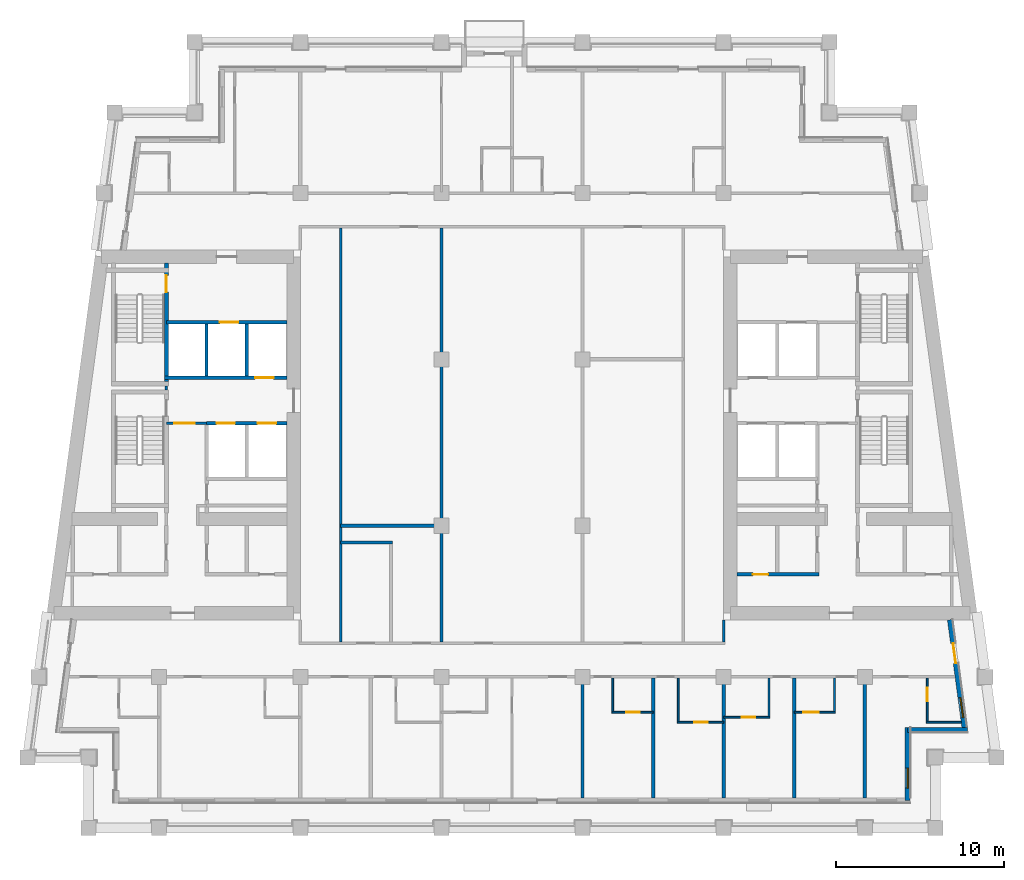
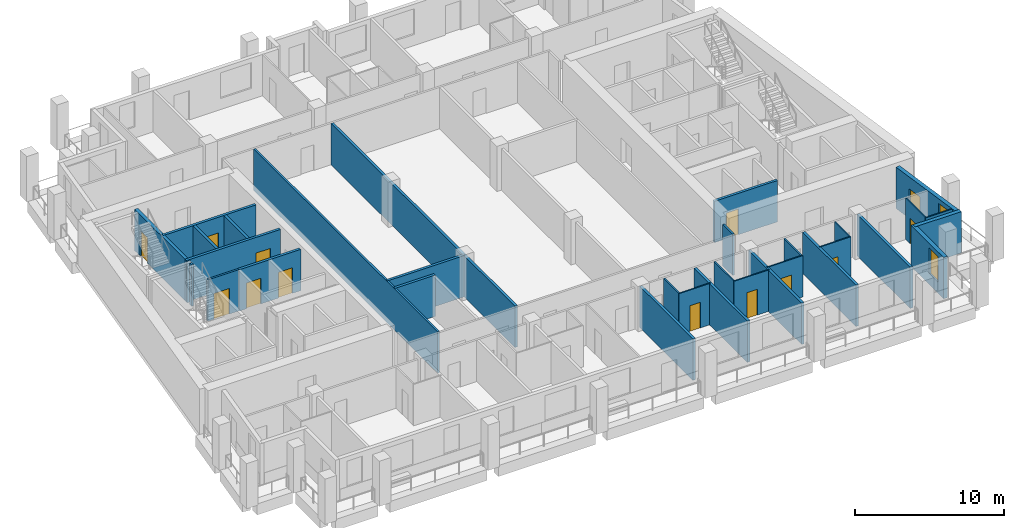
# One storey, part 4 of 12: 32 walls, 13 doors, 2 windows, 15 openings.
"""IFC4 building model written with IfcOpenShell, lengths in metres."""

from ifc_helpers import new_model, si_unit, direction, frame, frame_2d, origin, place, context, subcontext, project, spatial, rectangle, extrude, material, layer, layer_set, type_object, element, fill, save


model = new_model("IFC4")

# Units and contexts
model_context = context("Model", 3, precision=1e-05, world=origin(), true_north=direction((0.0, 1.0)))
body_context = subcontext(model_context, "Body", "Model", "MODEL_VIEW")
ifc_project = project(units=[si_unit("LENGTHUNIT", "METRE"), si_unit("AREAUNIT", "SQUARE_METRE"), si_unit("VOLUMEUNIT", "CUBIC_METRE"), si_unit("PLANEANGLEUNIT", "RADIAN"), si_unit("MASSUNIT", "GRAM", prefix="KILO")], contexts=[model_context])

# Site, building, storey
site_placement = place(None, origin())
site = spatial("IfcSite", under=ifc_project, at=site_placement, CompositionType="ELEMENT")
building_placement = place(site_placement, origin())
building = spatial("IfcBuilding", under=site, at=building_placement, Name="Candeia Pilgrim Tower and Theatre", CompositionType="ELEMENT")
storey_placement = place(building_placement, frame((0.0, 0.0, 224.39990234375)))
storey = spatial("IfcBuildingStorey", under=building, at=storey_placement, Name="L54", CompositionType="ELEMENT", Elevation=224.39990234375)

# Wall, opening, window
ifc_material_1 = material(Name="Ceramic block masonry", Category="masonry")
ifc_layer_1 = layer(ifc_material_1, 0.300048828125)
ifc_layer_set_1 = layer_set([ifc_layer_1], Name="EW1 glazing-line wall 300")
wall_type_1 = type_object("IfcWallType", Name="EW1 glazing-line wall 300", PredefinedType="SOLIDWALL", material=ifc_layer_set_1)
wall_1_placement = place(storey_placement, frame((136.949951171875, 99.64990234375, 0.0), z_axis=(0.0, 0.0, 1.0), x_axis=(0.0, 1.0, 0.0)))
wall_1 = element("IfcWall", 1, at=wall_1_placement, inside=storey, type_object=wall_type_1, Name="External wall L54-1.0", PredefinedType="SOLIDWALL", context=body_context, shape_type="SweptSolid", body=[
    extrude(rectangle(XDim=4.35009765625, YDim=0.300048828125, at=frame_2d((2.175048828125, 0.0))), origin(), (0.0, 0.0, 1.0), 3.380126953125),
])
opening_1_placement = place(wall_1_placement, frame((0.72509765625, 0.0, 0.89990234375)))
opening_1 = element("IfcOpeningElement", 2, at=opening_1_placement, cuts=wall_1, Name="Opening W-B", PredefinedType="OPENING", context=body_context, shape_type="SweptSolid", body=[
    extrude(rectangle(XDim=1.199951171875, YDim=2.10009765625, at=frame_2d((0.60009765625, 1.050048828125))), frame((0.0, 0.16015625, 0.0), z_axis=(0.0, -1.0, 0.0), x_axis=(1.0, 0.0, 0.0)), (0.0, 0.0, 1.0), 0.320068359375),
])
ifc_material_2 = material(Name="Aluminium framed double glazing", Category="aluminium")
window_type = type_object("IfcWindowType", Name="W-B window 1200x2100", PartitioningType="SINGLE_PANEL", PredefinedType="WINDOW", material=ifc_material_2)
window_1_placement = place(opening_1_placement, origin())
window_1 = element("IfcWindow", 3, at=window_1_placement, inside=storey, type_object=window_type, Name="Window W-B L54", OverallHeight=2.10009765625, OverallWidth=1.199951171875, PartitioningType="SINGLE_PANEL", PredefinedType="WINDOW", context=body_context, shape_type="SweptSolid", body=[
    extrude(rectangle(XDim=1.199951171875, YDim=2.10009765625, at=frame_2d((0.60009765625, 1.050048828125))), frame((0.0, 0.030029296875, 0.0), z_axis=(0.0, -1.0, 0.0), x_axis=(1.0, 0.0, 0.0)), (0.0, 0.0, 1.0), 0.06005859375),
])
fill(opening_1, window_1)

# Wall
wall_2_placement = place(storey_placement, frame((136.949951171875, 103.85009765625, 0.0), z_axis=(0.0, 0.0, 1.0), x_axis=(1.0, 0.0, 0.0)))
element("IfcWall", 4, at=wall_2_placement, inside=storey, type_object=wall_type_1, Name="External wall L54-2.0", PredefinedType="SOLIDWALL", context=body_context, shape_type="SweptSolid", body=[
    extrude(rectangle(XDim=3.569091796875, YDim=0.300048828125, at=frame_2d((1.78466796875, 0.0))), origin(), (0.0, 0.0, 1.0), 3.380126953125),
])

# Wall, openings, door, window
wall_3_placement = place(storey_placement, frame((140.34765625, 103.85009765625, 0.0), z_axis=(0.0, 0.0, 1.0), x_axis=(-0.133431549479, 0.991058031401, 0.0)))
wall_3 = element("IfcWall", 5, at=wall_3_placement, inside=storey, type_object=wall_type_1, Name="External wall L54-3.0", PredefinedType="SOLIDWALL", context=body_context, shape_type="SweptSolid", body=[
    extrude(rectangle(XDim=6.60888671875, YDim=0.300048828125, at=frame_2d((3.304443359375, 0.0))), origin(), (0.0, 0.0, 1.0), 3.380126953125),
])
opening_2_placement = place(wall_3_placement, frame((0.736572265625, 0.0, 0.89990234375)))
opening_2 = element("IfcOpeningElement", 6, at=opening_2_placement, cuts=wall_3, Name="Opening W-B", PredefinedType="OPENING", context=body_context, shape_type="SweptSolid", body=[
    extrude(rectangle(XDim=1.199951171875, YDim=2.10009765625, at=frame_2d((0.60009765625, 1.050048828125))), frame((0.0, 0.16015625, 0.0), z_axis=(0.0, -1.0, 0.0), x_axis=(1.0, 0.0, 0.0)), (0.0, 0.0, 1.0), 0.320068359375),
])
opening_3_placement = place(wall_3_placement, frame((3.990966796875, 0.0, 0.0)))
opening_3 = element("IfcOpeningElement", 7, at=opening_3_placement, cuts=wall_3, Name="Opening L54-ED516", PredefinedType="OPENING", context=body_context, shape_type="SweptSolid", body=[
    extrude(rectangle(XDim=1.199951171875, YDim=2.39990234375, at=frame_2d((0.60009765625, 1.199951171875))), frame((0.0, 0.16015625, 0.0), z_axis=(0.0, -1.0, 0.0), x_axis=(1.0, 0.0, 0.0)), (0.0, 0.0, 1.0), 0.320068359375),
])
ifc_material_3 = material(Name="Aluminium framed glazed door", Category="aluminium")
door_type_1 = type_object("IfcDoorType", Name="Loggia door 1200x2400", OperationType="DOUBLE_DOOR_SINGLE_SWING", PredefinedType="DOOR", material=ifc_material_3)
door_1_placement = place(opening_3_placement, origin())
door_1 = element("IfcDoor", 8, at=door_1_placement, inside=storey, type_object=door_type_1, Name="Loggia door L54-ED516", OperationType="DOUBLE_DOOR_SINGLE_SWING", OverallHeight=2.39990234375, OverallWidth=1.199951171875, PredefinedType="DOOR", context=body_context, shape_type="SweptSolid", body=[
    extrude(rectangle(XDim=1.199951171875, YDim=2.39990234375, at=frame_2d((0.60009765625, 1.199951171875))), frame((0.0, 0.02490234375, 0.0), z_axis=(0.0, -1.0, 0.0), x_axis=(1.0, 0.0, 0.0)), (0.0, 0.0, 1.0), 0.050048828125),
])
fill(opening_3, door_1)
window_2_placement = place(opening_2_placement, origin())
window_2 = element("IfcWindow", 9, at=window_2_placement, inside=storey, type_object=window_type, Name="Window W-B L54", OverallHeight=2.10009765625, OverallWidth=1.199951171875, PartitioningType="SINGLE_PANEL", PredefinedType="WINDOW", context=body_context, shape_type="SweptSolid", body=[
    extrude(rectangle(XDim=1.199951171875, YDim=2.10009765625, at=frame_2d((0.60009765625, 1.050048828125))), frame((0.0, 0.030029296875, 0.0), z_axis=(0.0, -1.0, 0.0), x_axis=(1.0, 0.0, 0.0)), (0.0, 0.0, 1.0), 0.06005859375),
])
fill(opening_2, window_2)

# Wall, opening, door
ifc_material_4 = material(Name="Gypsum board partition on steel studs", Category="steel")
ifc_layer_2 = layer(ifc_material_4, 0.10009765625)
ifc_layer_set_2 = layer_set([ifc_layer_2], Name="PW-100 room partition")
wall_type_2 = type_object("IfcWallType", Name="PW-100 room partition", PredefinedType="PARTITIONING", material=ifc_layer_set_2)
wall_4_placement = place(storey_placement, frame((123.25, 104.300048828125, 0.0), z_axis=(0.0, 0.0, 1.0), x_axis=(1.0, 0.0, 0.0)))
wall_4 = element("IfcWall", 10, at=wall_4_placement, inside=storey, type_object=wall_type_2, Name="Room partition L54-002", PredefinedType="PARTITIONING", context=body_context, shape_type="SweptSolid", body=[
    extrude(rectangle(XDim=2.75, YDim=0.10009765625, at=frame_2d((1.375, 0.0))), origin(), (0.0, 0.0, 1.0), 3.380126953125),
])
opening_4_placement = place(wall_4_placement, frame((1.0, 0.0, 0.0)))
opening_4 = element("IfcOpeningElement", 11, at=opening_4_placement, cuts=wall_4, Name="Opening L54-D030", PredefinedType="OPENING", context=body_context, shape_type="SweptSolid", body=[
    extrude(rectangle(XDim=0.800048828125, YDim=2.10009765625, at=frame_2d((0.39990234375, 1.050048828125))), frame((0.0, 0.06005859375, 0.0), z_axis=(0.0, -1.0, 0.0), x_axis=(1.0, 0.0, 0.0)), (0.0, 0.0, 1.0), 0.1201171875),
])
ifc_material_5 = material(Name="Timber door leaf", Category="wood")
door_type_2 = type_object("IfcDoorType", Name="D-800", OperationType="NOTDEFINED", PredefinedType="DOOR", material=ifc_material_5)
door_2_placement = place(opening_4_placement, origin())
door_2 = element("IfcDoor", 12, at=door_2_placement, inside=storey, type_object=door_type_2, Name="Door L54-D030", OperationType="SINGLE_SWING_RIGHT", OverallHeight=2.10009765625, OverallWidth=0.800048828125, PredefinedType="DOOR", context=body_context, shape_type="SweptSolid", body=[
    extrude(rectangle(XDim=0.800048828125, YDim=2.10009765625, at=frame_2d((0.39990234375, 1.050048828125))), frame((0.0, 0.02490234375, 0.0), z_axis=(0.0, -1.0, 0.0), x_axis=(1.0, 0.0, 0.0)), (0.0, 0.0, 1.0), 0.050048828125),
])
fill(opening_4, door_2)

# Wall
wall_5_placement = place(storey_placement, frame((138.070068359375, 104.300048828125, 0.0), z_axis=(0.0, 0.0, 1.0), x_axis=(1.0, 0.0, 0.0)))
element("IfcWall", 13, at=wall_5_placement, inside=storey, type_object=wall_type_2, Name="Room partition L54-003", PredefinedType="PARTITIONING", context=body_context, shape_type="SweptSolid", body=[
    extrude(rectangle(XDim=2.07568359375, YDim=0.10009765625, at=frame_2d((1.037841796875, 0.0))), origin(), (0.0, 0.0, 1.0), 3.380126953125),
])

# Wall, opening, door
wall_6_placement = place(storey_placement, frame((126.0, 104.60009765625, 0.0), z_axis=(0.0, 0.0, 1.0), x_axis=(1.0, 0.0, 0.0)))
wall_6 = element("IfcWall", 14, at=wall_6_placement, inside=storey, type_object=wall_type_2, Name="Room partition L54-006", PredefinedType="PARTITIONING", context=body_context, shape_type="SweptSolid", body=[
    extrude(rectangle(XDim=2.75, YDim=0.10009765625, at=frame_2d((1.375, 0.0))), origin(), (0.0, 0.0, 1.0), 3.380126953125),
])
opening_5_placement = place(wall_6_placement, frame((1.070068359375, 0.0, 0.0)))
opening_5 = element("IfcOpeningElement", 15, at=opening_5_placement, cuts=wall_6, Name="Opening L54-D032", PredefinedType="OPENING", context=body_context, shape_type="SweptSolid", body=[
    extrude(rectangle(XDim=0.800048828125, YDim=2.10009765625, at=frame_2d((0.39990234375, 1.050048828125))), frame((0.0, 0.06005859375, 0.0), z_axis=(0.0, -1.0, 0.0), x_axis=(1.0, 0.0, 0.0)), (0.0, 0.0, 1.0), 0.1201171875),
])
door_3_placement = place(opening_5_placement, origin())
door_3 = element("IfcDoor", 16, at=door_3_placement, inside=storey, type_object=door_type_2, Name="Door L54-D032", OperationType="SINGLE_SWING_RIGHT", OverallHeight=2.10009765625, OverallWidth=0.800048828125, PredefinedType="DOOR", context=body_context, shape_type="SweptSolid", body=[
    extrude(rectangle(XDim=0.800048828125, YDim=2.10009765625, at=frame_2d((0.39990234375, 1.050048828125))), frame((0.0, 0.02490234375, 0.0), z_axis=(0.0, -1.0, 0.0), x_axis=(1.0, 0.0, 0.0)), (0.0, 0.0, 1.0), 0.050048828125),
])
fill(opening_5, door_3)

wall_7_placement = place(storey_placement, frame((119.35009765625, 104.89990234375, 0.0), z_axis=(0.0, 0.0, 1.0), x_axis=(1.0, 0.0, 0.0)))
wall_7 = element("IfcWall", 17, at=wall_7_placement, inside=storey, type_object=wall_type_2, Name="Room partition L54-008", PredefinedType="PARTITIONING", context=body_context, shape_type="SweptSolid", body=[
    extrude(rectangle(XDim=2.449951171875, YDim=0.10009765625, at=frame_2d((1.22509765625, 0.0))), origin(), (0.0, 0.0, 1.0), 3.380126953125),
])
opening_6_placement = place(wall_7_placement, frame((0.85009765625, 0.0, 0.0)))
opening_6 = element("IfcOpeningElement", 18, at=opening_6_placement, cuts=wall_7, Name="Opening L54-D028", PredefinedType="OPENING", context=body_context, shape_type="SweptSolid", body=[
    extrude(rectangle(XDim=0.800048828125, YDim=2.10009765625, at=frame_2d((0.39990234375, 1.050048828125))), frame((0.0, 0.06005859375, 0.0), z_axis=(0.0, -1.0, 0.0), x_axis=(1.0, 0.0, 0.0)), (0.0, 0.0, 1.0), 0.1201171875),
])
door_4_placement = place(opening_6_placement, origin())
door_4 = element("IfcDoor", 19, at=door_4_placement, inside=storey, type_object=door_type_2, Name="Door L54-D028", OperationType="SINGLE_SWING_RIGHT", OverallHeight=2.10009765625, OverallWidth=0.800048828125, PredefinedType="DOOR", context=body_context, shape_type="SweptSolid", body=[
    extrude(rectangle(XDim=0.800048828125, YDim=2.10009765625, at=frame_2d((0.39990234375, 1.050048828125))), frame((0.0, 0.02490234375, 0.0), z_axis=(0.0, -1.0, 0.0), x_axis=(1.0, 0.0, 0.0)), (0.0, 0.0, 1.0), 0.050048828125),
])
fill(opening_6, door_4)

wall_8_placement = place(storey_placement, frame((130.199951171875, 104.89990234375, 0.0), z_axis=(0.0, 0.0, 1.0), x_axis=(1.0, 0.0, 0.0)))
wall_8 = element("IfcWall", 20, at=wall_8_placement, inside=storey, type_object=wall_type_2, Name="Room partition L54-009", PredefinedType="PARTITIONING", context=body_context, shape_type="SweptSolid", body=[
    extrude(rectangle(XDim=2.449951171875, YDim=0.10009765625, at=frame_2d((1.22509765625, 0.0))), origin(), (0.0, 0.0, 1.0), 3.380126953125),
])
opening_7_placement = place(wall_8_placement, frame((0.550048828125, 0.0, 0.0)))
opening_7 = element("IfcOpeningElement", 21, at=opening_7_placement, cuts=wall_8, Name="Opening L54-D034", PredefinedType="OPENING", context=body_context, shape_type="SweptSolid", body=[
    extrude(rectangle(XDim=0.89990234375, YDim=2.10009765625, at=frame_2d((0.449951171875, 1.050048828125))), frame((0.0, 0.06005859375, 0.0), z_axis=(0.0, -1.0, 0.0), x_axis=(1.0, 0.0, 0.0)), (0.0, 0.0, 1.0), 0.1201171875),
])
door_type_3 = type_object("IfcDoorType", Name="D-900", OperationType="NOTDEFINED", PredefinedType="DOOR", material=ifc_material_5)
door_5_placement = place(opening_7_placement, origin())
door_5 = element("IfcDoor", 22, at=door_5_placement, inside=storey, type_object=door_type_3, Name="Door L54-D034", OperationType="SINGLE_SWING_RIGHT", OverallHeight=2.10009765625, OverallWidth=0.89990234375, PredefinedType="DOOR", context=body_context, shape_type="SweptSolid", body=[
    extrude(rectangle(XDim=0.89990234375, YDim=2.10009765625, at=frame_2d((0.449951171875, 1.050048828125))), frame((0.0, 0.02490234375, 0.0), z_axis=(0.0, -1.0, 0.0), x_axis=(1.0, 0.0, 0.0)), (0.0, 0.0, 1.0), 0.050048828125),
])
fill(opening_7, door_5)

# Walls
wall_9_placement = place(storey_placement, frame((119.39990234375, 104.949951171875, 0.0), z_axis=(0.0, 0.0, 1.0), x_axis=(0.0, 1.0, 0.0)))
element("IfcWall", 23, at=wall_9_placement, inside=storey, type_object=wall_type_2, Name="Room partition L54-090", PredefinedType="PARTITIONING", context=body_context, shape_type="SweptSolid", body=[
    extrude(rectangle(XDim=1.97509765625, YDim=0.10009765625, at=frame_2d((0.987548828125, 0.0))), origin(), (0.0, 0.0, 1.0), 3.380126953125),
])
wall_10_placement = place(storey_placement, frame((123.300048828125, 104.35009765625, 0.0), z_axis=(0.0, 0.0, 1.0), x_axis=(0.0, 1.0, 0.0)))
element("IfcWall", 24, at=wall_10_placement, inside=storey, type_object=wall_type_2, Name="Room partition L54-092", PredefinedType="PARTITIONING", context=body_context, shape_type="SweptSolid", body=[
    extrude(rectangle(XDim=2.574951171875, YDim=0.10009765625, at=frame_2d((1.28759765625, 0.0))), origin(), (0.0, 0.0, 1.0), 3.380126953125),
])
wall_11_placement = place(storey_placement, frame((128.699951171875, 104.64990234375, 0.0), z_axis=(0.0, 0.0, 1.0), x_axis=(0.0, 1.0, 0.0)))
element("IfcWall", 25, at=wall_11_placement, inside=storey, type_object=wall_type_2, Name="Room partition L54-099", PredefinedType="PARTITIONING", context=body_context, shape_type="SweptSolid", body=[
    extrude(rectangle(XDim=2.275146484375, YDim=0.10009765625, at=frame_2d((1.1376953125, 0.0))), origin(), (0.0, 0.0, 1.0), 3.380126953125),
])
wall_12_placement = place(storey_placement, frame((132.60009765625, 104.949951171875, 0.0), z_axis=(0.0, 0.0, 1.0), x_axis=(0.0, 1.0, 0.0)))
element("IfcWall", 26, at=wall_12_placement, inside=storey, type_object=wall_type_2, Name="Room partition L54-108", PredefinedType="PARTITIONING", context=body_context, shape_type="SweptSolid", body=[
    extrude(rectangle(XDim=1.97509765625, YDim=0.10009765625, at=frame_2d((0.987548828125, 0.0))), origin(), (0.0, 0.0, 1.0), 3.380126953125),
])

# Wall, opening, door
wall_13_placement = place(storey_placement, frame((138.1201171875, 104.35009765625, 0.0), z_axis=(0.0, 0.0, 1.0), x_axis=(0.0, 1.0, 0.0)))
wall_13 = element("IfcWall", 27, at=wall_13_placement, inside=storey, type_object=wall_type_2, Name="Room partition L54-118", PredefinedType="PARTITIONING", context=body_context, shape_type="SweptSolid", body=[
    extrude(rectangle(XDim=2.574951171875, YDim=0.10009765625, at=frame_2d((1.28759765625, 0.0))), origin(), (0.0, 0.0, 1.0), 3.380126953125),
])
opening_8_placement = place(wall_13_placement, frame((1.199951171875, 0.0, 0.0)))
opening_8 = element("IfcOpeningElement", 28, at=opening_8_placement, cuts=wall_13, Name="Opening L54-D036", PredefinedType="OPENING", context=body_context, shape_type="SweptSolid", body=[
    extrude(rectangle(XDim=0.800048828125, YDim=2.10009765625, at=frame_2d((0.39990234375, 1.050048828125))), frame((0.0, 0.06005859375, 0.0), z_axis=(0.0, -1.0, 0.0), x_axis=(1.0, 0.0, 0.0)), (0.0, 0.0, 1.0), 0.1201171875),
])
door_6_placement = place(opening_8_placement, origin())
door_6 = element("IfcDoor", 29, at=door_6_placement, inside=storey, type_object=door_type_2, Name="Door L54-D036", OperationType="SINGLE_SWING_RIGHT", OverallHeight=2.10009765625, OverallWidth=0.800048828125, PredefinedType="DOOR", context=body_context, shape_type="SweptSolid", body=[
    extrude(rectangle(XDim=0.800048828125, YDim=2.10009765625, at=frame_2d((0.39990234375, 1.050048828125))), frame((0.0, 0.02490234375, 0.0), z_axis=(0.0, -1.0, 0.0), x_axis=(1.0, 0.0, 0.0)), (0.0, 0.0, 1.0), 0.050048828125),
])
fill(opening_8, door_6)

ifc_layer_3 = layer(ifc_material_4, 0.14990234375)
ifc_layer_set_3 = layer_set([ifc_layer_3], Name="PW-150 lobby wall")
wall_type_3 = type_object("IfcWallType", Name="PW-150 lobby wall", PredefinedType="PARTITIONING", material=ifc_layer_set_3)
wall_14_placement = place(storey_placement, frame((92.826904296875, 122.10009765625, 0.0), z_axis=(0.0, 0.0, 1.0), x_axis=(1.0, 0.0, 0.0)))
wall_14 = element("IfcWall", 30, at=wall_14_placement, inside=storey, type_object=wall_type_3, Name="Lobby wall L54-028", PredefinedType="PARTITIONING", context=body_context, shape_type="SweptSolid", body=[
    extrude(rectangle(XDim=2.400146484375, YDim=0.14990234375, at=frame_2d((1.2001953125, 0.0))), origin(), (0.0, 0.0, 1.0), 3.380126953125),
])
opening_9_placement = place(wall_14_placement, frame((0.47509765625, 0.0, 0.0)))
opening_9 = element("IfcOpeningElement", 31, at=opening_9_placement, cuts=wall_14, Name="Opening L54-D001", PredefinedType="OPENING", context=body_context, shape_type="SweptSolid", body=[
    extrude(rectangle(XDim=1.199951171875, YDim=2.10009765625, at=frame_2d((0.60009765625, 1.050048828125))), frame((0.0, 0.0849609375, 0.0), z_axis=(0.0, -1.0, 0.0), x_axis=(1.0, 0.0, 0.0)), (0.0, 0.0, 1.0), 0.169921875),
])
ifc_material_6 = material(Name="Steel fire door set", Category="steel")
door_type_4 = type_object("IfcDoorType", Name="D-1200-FD60", OperationType="NOTDEFINED", PredefinedType="DOOR", material=ifc_material_6)
door_7_placement = place(opening_9_placement, origin())
door_7 = element("IfcDoor", 32, at=door_7_placement, inside=storey, type_object=door_type_4, Name="Door L54-D001", OperationType="SINGLE_SWING_LEFT", OverallHeight=2.10009765625, OverallWidth=1.199951171875, PredefinedType="DOOR", context=body_context, shape_type="SweptSolid", body=[
    extrude(rectangle(XDim=1.199951171875, YDim=2.10009765625, at=frame_2d((0.60009765625, 1.050048828125))), frame((0.0, 0.02490234375, 0.0), z_axis=(0.0, -1.0, 0.0), x_axis=(1.0, 0.0, 0.0)), (0.0, 0.0, 1.0), 0.050048828125),
])
fill(opening_9, door_7)

# Walls
wall_15_placement = place(storey_placement, frame((92.826904296875, 124.074951171875, 0.0), z_axis=(0.0, 0.0, 1.0), x_axis=(0.0, 1.0, 0.0)))
element("IfcWall", 33, at=wall_15_placement, inside=storey, type_object=wall_type_3, Name="Lobby wall L54-058", PredefinedType="PARTITIONING", context=body_context, shape_type="SweptSolid", body=[
    extrude(rectangle(XDim=0.25, YDim=0.14990234375, at=frame_2d((0.125, 0.0))), origin(), (0.0, 0.0, 1.0), 3.380126953125),
])
ifc_layer_4 = layer(ifc_material_4, 0.14990234375)
ifc_layer_set_4 = layer_set([ifc_layer_4], Name="PW-150 unit wall")
wall_type_4 = type_object("IfcWallType", Name="PW-150 unit wall", PredefinedType="PARTITIONING", material=ifc_layer_set_4)
wall_16_placement = place(storey_placement, frame((103.199951171875, 109.074951171875, 0.0), z_axis=(0.0, 0.0, 1.0), x_axis=(0.0, 1.0, 0.0)))
element("IfcWall", 34, at=wall_16_placement, inside=storey, type_object=wall_type_4, Name="Unit wall L54-075", PredefinedType="PARTITIONING", context=body_context, shape_type="SweptSolid", body=[
    extrude(rectangle(XDim=24.650146484375, YDim=0.14990234375, at=frame_2d((12.3251953125, 0.0))), origin(), (0.0, 0.0, 1.0), 3.380126953125),
])
wall_17_placement = place(storey_placement, frame((126.0, 109.074951171875, 0.0), z_axis=(0.0, 0.0, 1.0), x_axis=(0.0, 1.0, 0.0)))
element("IfcWall", 35, at=wall_17_placement, inside=storey, type_object=wall_type_4, Name="Unit wall L54-097", PredefinedType="PARTITIONING", context=body_context, shape_type="SweptSolid", body=[
    extrude(rectangle(XDim=1.324951171875, YDim=0.14990234375, at=frame_2d((0.66259765625, 0.0))), origin(), (0.0, 0.0, 1.0), 3.380126953125),
])
ifc_layer_5 = layer(ifc_material_4, 0.199951171875)
ifc_layer_set_5 = layer_set([ifc_layer_5], Name="PW-200 party wall")
wall_type_5 = type_object("IfcWallType", Name="PW-200 party wall", PredefinedType="PARTITIONING", material=ifc_layer_set_5)
wall_18_placement = place(storey_placement, frame((103.199951171875, 115.0, 0.0), z_axis=(0.0, 0.0, 1.0), x_axis=(1.0, 0.0, 0.0)))
element("IfcWall", 36, at=wall_18_placement, inside=storey, type_object=wall_type_5, Name="Party wall L54-016", PredefinedType="PARTITIONING", context=body_context, shape_type="SweptSolid", body=[
    extrude(rectangle(XDim=3.10009765625, YDim=0.199951171875, at=frame_2d((1.550048828125, 0.0))), origin(), (0.0, 0.0, 1.0), 3.380126953125),
])
wall_19_placement = place(storey_placement, frame((103.199951171875, 116.0, 0.0), z_axis=(0.0, 0.0, 1.0), x_axis=(1.0, 0.0, 0.0)))
element("IfcWall", 37, at=wall_19_placement, inside=storey, type_object=wall_type_5, Name="Party wall L54-017", PredefinedType="PARTITIONING", context=body_context, shape_type="SweptSolid", body=[
    extrude(rectangle(XDim=6.0, YDim=0.199951171875, at=frame_2d((3.0, 0.0))), origin(), (0.0, 0.0, 1.0), 3.380126953125),
])
wall_20_placement = place(storey_placement, frame((109.199951171875, 109.074951171875, 0.0), z_axis=(0.0, 0.0, 1.0), x_axis=(0.0, 1.0, 0.0)))
element("IfcWall", 38, at=wall_20_placement, inside=storey, type_object=wall_type_5, Name="Party wall L54-081", PredefinedType="PARTITIONING", context=body_context, shape_type="SweptSolid", body=[
    extrude(rectangle(XDim=24.650146484375, YDim=0.199951171875, at=frame_2d((12.3251953125, 0.0))), origin(), (0.0, 0.0, 1.0), 3.380126953125),
])
for number, where, z_axis, x_axis, name in (
    (39, (117.60009765625, 99.7900390625, 0.0), (0.0, 0.0, 1.0), (0.0, 1.0, 0.0), "Party wall L54-087"),
    (40, (121.800048828125, 99.7900390625, 0.0), (0.0, 0.0, 1.0), (0.0, 1.0, 0.0), "Party wall L54-091"),
    (41, (126.0, 99.7900390625, 0.0), (0.0, 0.0, 1.0), (0.0, 1.0, 0.0), "Party wall L54-095"),
    (42, (130.199951171875, 99.7900390625, 0.0), (0.0, 0.0, 1.0), (0.0, 1.0, 0.0), "Party wall L54-103"),
    (43, (134.39990234375, 99.7900390625, 0.0), (0.0, 0.0, 1.0), (0.0, 1.0, 0.0), "Party wall L54-114"),
):
    element("IfcWall", number, at=place(storey_placement, frame(where, z_axis=z_axis, x_axis=x_axis)), inside=storey, type_object=wall_type_5, Name=name, PredefinedType="PARTITIONING", context=body_context, shape_type="SweptSolid", body=[
        extrude(rectangle(XDim=7.135009765625, YDim=0.199951171875, at=frame_2d((3.5673828125, 0.0))), origin(), (0.0, 0.0, 1.0), 3.380126953125),
    ])

# Wall, opening, door
ifc_material_7 = material(Name="Concrete C40/50", Category="concrete")
ifc_layer_6 = layer(ifc_material_7, 0.199951171875)
ifc_layer_set_6 = layer_set([ifc_layer_6], Name="SW-200 shaft wall")
wall_type_6 = type_object("IfcWallType", Name="SW-200 shaft wall", PredefinedType="PARTITIONING", material=ifc_layer_set_6)
wall_21_placement = place(storey_placement, frame((126.800048828125, 113.10009765625, 0.0), z_axis=(0.0, 0.0, 1.0), x_axis=(1.0, 0.0, 0.0)))
wall_21 = element("IfcWall", 44, at=wall_21_placement, inside=storey, type_object=wall_type_6, Name="Shaft wall L54-014", PredefinedType="PARTITIONING", context=body_context, shape_type="SweptSolid", body=[
    extrude(rectangle(XDim=4.873046875, YDim=0.199951171875, at=frame_2d((2.4365234375, 0.0))), origin(), (0.0, 0.0, 1.0), 3.380126953125),
])
opening_10_placement = place(wall_21_placement, frame((0.93994140625, 0.0, 0.0)))
opening_10 = element("IfcOpeningElement", 45, at=opening_10_placement, cuts=wall_21, Name="Opening L54-D016", PredefinedType="OPENING", context=body_context, shape_type="SweptSolid", body=[
    extrude(rectangle(XDim=0.89990234375, YDim=2.10009765625, at=frame_2d((0.449951171875, 1.050048828125))), frame((0.0, 0.10986328125, 0.0), z_axis=(0.0, -1.0, 0.0), x_axis=(1.0, 0.0, 0.0)), (0.0, 0.0, 1.0), 0.219970703125),
])
door_type_5 = type_object("IfcDoorType", Name="D-900-FD60", OperationType="NOTDEFINED", PredefinedType="DOOR", material=ifc_material_6)
door_8_placement = place(opening_10_placement, origin())
door_8 = element("IfcDoor", 46, at=door_8_placement, inside=storey, type_object=door_type_5, Name="Door L54-D016", OperationType="SINGLE_SWING_RIGHT", OverallHeight=2.10009765625, OverallWidth=0.89990234375, PredefinedType="DOOR", context=body_context, shape_type="SweptSolid", body=[
    extrude(rectangle(XDim=0.89990234375, YDim=2.10009765625, at=frame_2d((0.449951171875, 1.050048828125))), frame((0.0, 0.02490234375, 0.0), z_axis=(0.0, -1.0, 0.0), x_axis=(1.0, 0.0, 0.0)), (0.0, 0.0, 1.0), 0.050048828125),
])
fill(opening_10, door_8)

# Wall, openings, doors
wall_22_placement = place(storey_placement, frame((95.22705078125, 122.10009765625, 0.0), z_axis=(0.0, 0.0, 1.0), x_axis=(1.0, 0.0, 0.0)))
wall_22 = element("IfcWall", 47, at=wall_22_placement, inside=storey, type_object=wall_type_6, Name="Shaft wall L54-026", PredefinedType="PARTITIONING", context=body_context, shape_type="SweptSolid", body=[
    extrude(rectangle(XDim=4.77294921875, YDim=0.199951171875, at=frame_2d((2.386474609375, 0.0))), origin(), (0.0, 0.0, 1.0), 3.380126953125),
])
opening_11_placement = place(wall_22_placement, frame((0.5849609375, 0.0, 0.0)))
opening_11 = element("IfcOpeningElement", 48, at=opening_11_placement, cuts=wall_22, Name="Opening L54-LD01", PredefinedType="OPENING", context=body_context, shape_type="SweptSolid", body=[
    extrude(rectangle(XDim=1.10009765625, YDim=2.10009765625, at=frame_2d((0.550048828125, 1.050048828125))), frame((0.0, 0.10986328125, 0.0), z_axis=(0.0, -1.0, 0.0), x_axis=(1.0, 0.0, 0.0)), (0.0, 0.0, 1.0), 0.219970703125),
])
opening_12_placement = place(wall_22_placement, frame((3.030029296875, 0.0, 0.0)))
opening_12 = element("IfcOpeningElement", 49, at=opening_12_placement, cuts=wall_22, Name="Opening L54-LD02", PredefinedType="OPENING", context=body_context, shape_type="SweptSolid", body=[
    extrude(rectangle(XDim=1.10009765625, YDim=2.10009765625, at=frame_2d((0.550048828125, 1.050048828125))), frame((0.0, 0.10986328125, 0.0), z_axis=(0.0, -1.0, 0.0), x_axis=(1.0, 0.0, 0.0)), (0.0, 0.0, 1.0), 0.219970703125),
])
ifc_material_8 = material(Name="Glazed aluminium landing door", Category="aluminium")
door_type_6 = type_object("IfcDoorType", Name="LD-1100-EI120", OperationType="SLIDING_TO_LEFT", PredefinedType="DOOR", material=ifc_material_8)
door_9_placement = place(opening_11_placement, origin())
door_9 = element("IfcDoor", 50, at=door_9_placement, inside=storey, type_object=door_type_6, Name="Landing door 01 L54", OperationType="SLIDING_TO_LEFT", OverallHeight=2.10009765625, OverallWidth=1.10009765625, PredefinedType="DOOR", context=body_context, shape_type="SweptSolid", body=[
    extrude(rectangle(XDim=1.10009765625, YDim=2.10009765625, at=frame_2d((0.550048828125, 1.050048828125))), frame((0.0, 0.02490234375, 0.0), z_axis=(0.0, -1.0, 0.0), x_axis=(1.0, 0.0, 0.0)), (0.0, 0.0, 1.0), 0.050048828125),
])
fill(opening_11, door_9)
door_10_placement = place(opening_12_placement, origin())
door_10 = element("IfcDoor", 51, at=door_10_placement, inside=storey, type_object=door_type_6, Name="Landing door 02 L54", OperationType="SLIDING_TO_LEFT", OverallHeight=2.10009765625, OverallWidth=1.10009765625, PredefinedType="DOOR", context=body_context, shape_type="SweptSolid", body=[
    extrude(rectangle(XDim=1.10009765625, YDim=2.10009765625, at=frame_2d((0.550048828125, 1.050048828125))), frame((0.0, 0.02490234375, 0.0), z_axis=(0.0, -1.0, 0.0), x_axis=(1.0, 0.0, 0.0)), (0.0, 0.0, 1.0), 0.050048828125),
])
fill(opening_12, door_10)

# Wall, opening, door
wall_23_placement = place(storey_placement, frame((92.701904296875, 124.800048828125, 0.0), z_axis=(0.0, 0.0, 1.0), x_axis=(1.0, 0.0, 0.0)))
wall_23 = element("IfcWall", 52, at=wall_23_placement, inside=storey, type_object=wall_type_6, Name="Shaft wall L54-034", PredefinedType="PARTITIONING", context=body_context, shape_type="SweptSolid", body=[
    extrude(rectangle(XDim=7.298095703125, YDim=0.199951171875, at=frame_2d((3.64892578125, 0.0))), origin(), (0.0, 0.0, 1.0), 3.380126953125),
])
opening_13_placement = place(wall_23_placement, frame((5.405029296875, 0.0, 0.0)))
opening_13 = element("IfcOpeningElement", 53, at=opening_13_placement, cuts=wall_23, Name="Opening L54-LD04", PredefinedType="OPENING", context=body_context, shape_type="SweptSolid", body=[
    extrude(rectangle(XDim=1.10009765625, YDim=2.10009765625, at=frame_2d((0.550048828125, 1.050048828125))), frame((0.0, 0.10986328125, 0.0), z_axis=(0.0, -1.0, 0.0), x_axis=(1.0, 0.0, 0.0)), (0.0, 0.0, 1.0), 0.219970703125),
])
door_11_placement = place(opening_13_placement, origin())
door_11 = element("IfcDoor", 54, at=door_11_placement, inside=storey, type_object=door_type_6, Name="Landing door 04 L54", OperationType="SLIDING_TO_LEFT", OverallHeight=2.10009765625, OverallWidth=1.10009765625, PredefinedType="DOOR", context=body_context, shape_type="SweptSolid", body=[
    extrude(rectangle(XDim=1.10009765625, YDim=2.10009765625, at=frame_2d((0.550048828125, 1.050048828125))), frame((0.0, 0.02490234375, 0.0), z_axis=(0.0, -1.0, 0.0), x_axis=(1.0, 0.0, 0.0)), (0.0, 0.0, 1.0), 0.050048828125),
])
fill(opening_13, door_11)

wall_24_placement = place(storey_placement, frame((92.826904296875, 128.10009765625, 0.0), z_axis=(0.0, 0.0, 1.0), x_axis=(1.0, 0.0, 0.0)))
wall_24 = element("IfcWall", 55, at=wall_24_placement, inside=storey, type_object=wall_type_6, Name="Shaft wall L54-038", PredefinedType="PARTITIONING", context=body_context, shape_type="SweptSolid", body=[
    extrude(rectangle(XDim=7.173095703125, YDim=0.199951171875, at=frame_2d((3.58642578125, 0.0))), origin(), (0.0, 0.0, 1.0), 3.380126953125),
])
opening_14_placement = place(wall_24_placement, frame((3.18408203125, 0.0, 0.0)))
opening_14 = element("IfcOpeningElement", 56, at=opening_14_placement, cuts=wall_24, Name="Opening L54-LD03", PredefinedType="OPENING", context=body_context, shape_type="SweptSolid", body=[
    extrude(rectangle(XDim=1.10009765625, YDim=2.10009765625, at=frame_2d((0.550048828125, 1.050048828125))), frame((0.0, 0.10986328125, 0.0), z_axis=(0.0, -1.0, 0.0), x_axis=(1.0, 0.0, 0.0)), (0.0, 0.0, 1.0), 0.219970703125),
])
door_12_placement = place(opening_14_placement, origin())
door_12 = element("IfcDoor", 57, at=door_12_placement, inside=storey, type_object=door_type_6, Name="Landing door 03 L54", OperationType="SLIDING_TO_LEFT", OverallHeight=2.10009765625, OverallWidth=1.10009765625, PredefinedType="DOOR", context=body_context, shape_type="SweptSolid", body=[
    extrude(rectangle(XDim=1.10009765625, YDim=2.10009765625, at=frame_2d((0.550048828125, 1.050048828125))), frame((0.0, 0.02490234375, 0.0), z_axis=(0.0, -1.0, 0.0), x_axis=(1.0, 0.0, 0.0)), (0.0, 0.0, 1.0), 0.050048828125),
])
fill(opening_14, door_12)

# Walls
for number, where, z_axis, x_axis, name in (
    (58, (95.218017578125, 124.89990234375, 0.0), (0.0, 0.0, 1.0), (0.0, 1.0, 0.0), "Shaft wall L54-063"),
    (59, (97.60888671875, 124.89990234375, 0.0), (0.0, 0.0, 1.0), (0.0, 1.0, 0.0), "Shaft wall L54-067"),
):
    element("IfcWall", number, at=place(storey_placement, frame(where, z_axis=z_axis, x_axis=x_axis)), inside=storey, type_object=wall_type_6, Name=name, PredefinedType="PARTITIONING", context=body_context, shape_type="SweptSolid", body=[
        extrude(rectangle(XDim=3.10009765625, YDim=0.199951171875, at=frame_2d((1.550048828125, 0.0))), origin(), (0.0, 0.0, 1.0), 3.380126953125),
    ])

# Wall, opening, door
ifc_layer_7 = layer(ifc_material_7, 0.25)
ifc_layer_set_7 = layer_set([ifc_layer_7], Name="SW-250 stair wall")
wall_type_7 = type_object("IfcWallType", Name="SW-250 stair wall", PredefinedType="PARTITIONING", material=ifc_layer_set_7)
wall_25_placement = place(storey_placement, frame((92.826904296875, 124.574951171875, 0.0), z_axis=(0.0, 0.0, 1.0), x_axis=(0.0, 1.0, 0.0)))
wall_25 = element("IfcWall", 60, at=wall_25_placement, inside=storey, type_object=wall_type_7, Name="Stair wall L54-060", PredefinedType="PARTITIONING", context=body_context, shape_type="SweptSolid", body=[
    extrude(rectangle(XDim=7.054931640625, YDim=0.25, at=frame_2d((3.52734375, 0.0))), origin(), (0.0, 0.0, 1.0), 3.380126953125),
])
opening_15_placement = place(wall_25_placement, frame((5.324951171875, 0.0, 0.0)))
opening_15 = element("IfcOpeningElement", 61, at=opening_15_placement, cuts=wall_25, Name="Opening L54-D003", PredefinedType="OPENING", context=body_context, shape_type="SweptSolid", body=[
    extrude(rectangle(XDim=1.0, YDim=2.10009765625, at=frame_2d((0.5, 1.050048828125))), frame((0.0, 0.135009765625, 0.0), z_axis=(0.0, -1.0, 0.0), x_axis=(1.0, 0.0, 0.0)), (0.0, 0.0, 1.0), 0.27001953125),
])
door_type_7 = type_object("IfcDoorType", Name="D-1000-FD60", OperationType="NOTDEFINED", PredefinedType="DOOR", material=ifc_material_6)
door_13_placement = place(opening_15_placement, origin())
door_13 = element("IfcDoor", 62, at=door_13_placement, inside=storey, type_object=door_type_7, Name="Door L54-D003", OperationType="SINGLE_SWING_LEFT", OverallHeight=2.10009765625, OverallWidth=1.0, PredefinedType="DOOR", context=body_context, shape_type="SweptSolid", body=[
    extrude(rectangle(XDim=1.0, YDim=2.10009765625, at=frame_2d((0.5, 1.050048828125))), frame((0.0, 0.02490234375, 0.0), z_axis=(0.0, -1.0, 0.0), x_axis=(1.0, 0.0, 0.0)), (0.0, 0.0, 1.0), 0.050048828125),
])
fill(opening_15, door_13)

save(model, "model.ifc")
